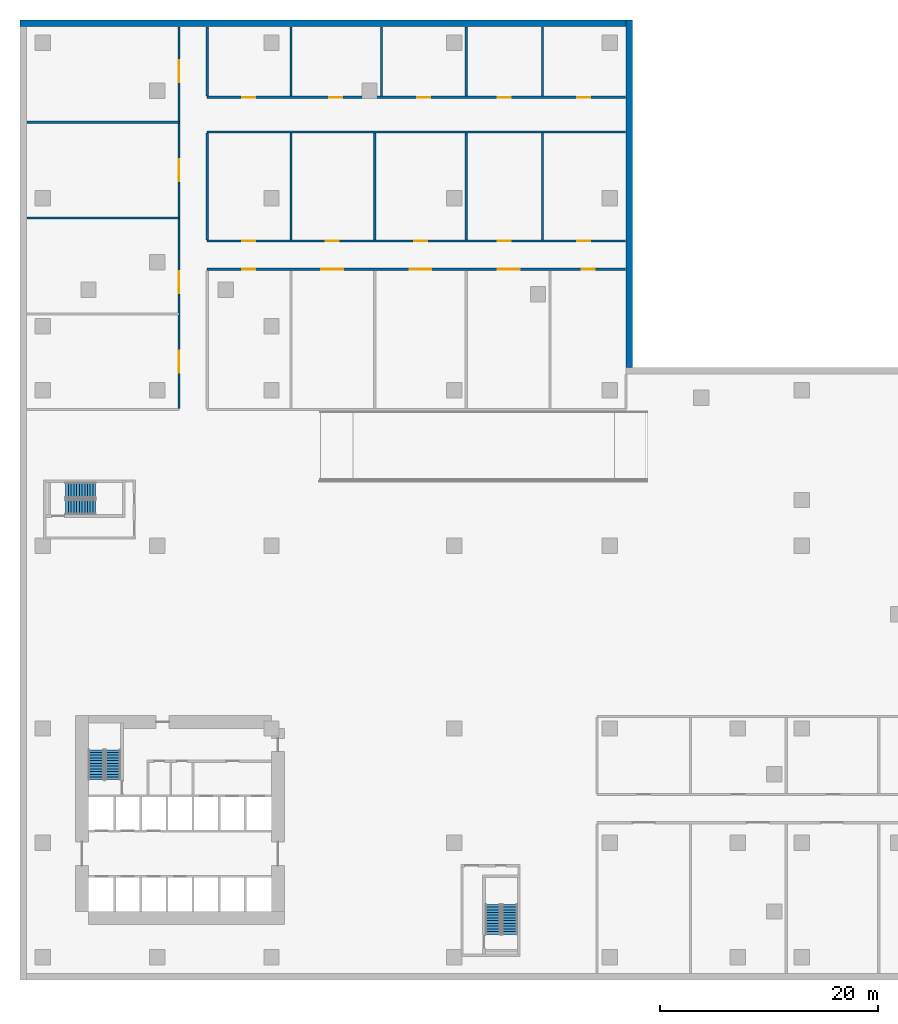
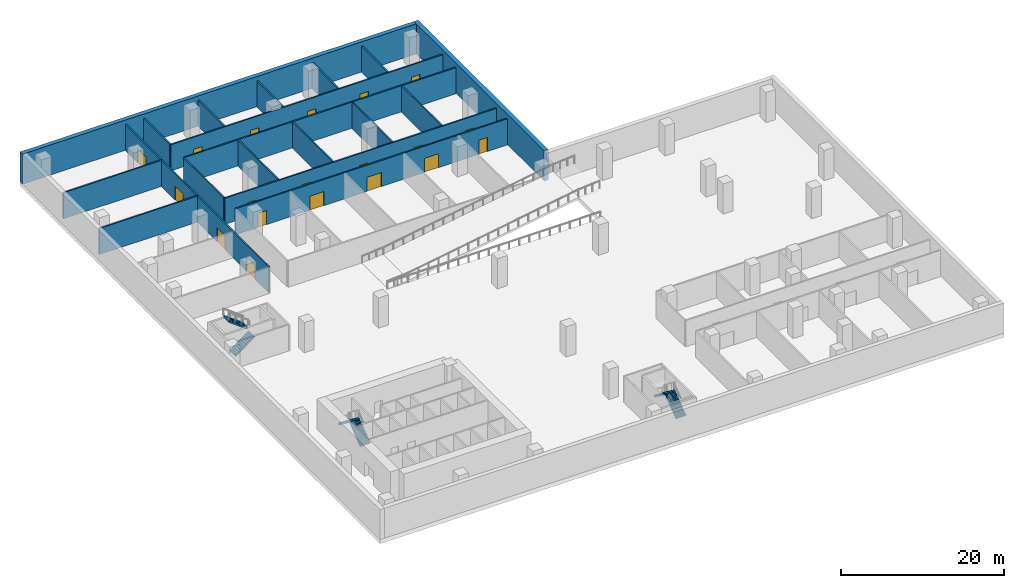
# One storey, part 8 of 12: 19 doors, 19 walls, 6 stair flights, 19 openings, 3 elements without a shape of their own.
"""IFC4 building model written with IfcOpenShell, lengths in metres."""

from ifc_helpers import new_model, si_unit, direction, frame, frame_2d, origin, place, context, subcontext, project, spatial, polyline, rectangle, outline, extrude, source, transform, mapped, material, layer, layer_set, type_object, element, fill, aggregate, save


model = new_model("IFC4")

# Units and contexts
model_context = context("Model", 3, precision=1e-05, world=origin(), true_north=direction((0.0, 1.0)))
body_context = subcontext(model_context, "Body", "Model", "MODEL_VIEW")
ifc_project = project(units=[si_unit("LENGTHUNIT", "METRE"), si_unit("AREAUNIT", "SQUARE_METRE"), si_unit("VOLUMEUNIT", "CUBIC_METRE"), si_unit("PLANEANGLEUNIT", "RADIAN"), si_unit("MASSUNIT", "GRAM", prefix="KILO")], contexts=[model_context])

# Site, building, storey
site_placement = place(None, origin())
site = spatial("IfcSite", under=ifc_project, at=site_placement, CompositionType="ELEMENT")
building_placement = place(site_placement, origin())
building = spatial("IfcBuilding", under=site, at=building_placement, Name="Aurelian Terraces", CompositionType="ELEMENT")
storey_placement = place(building_placement, frame((0.0, 0.0, -9.0)))
storey = spatial("IfcBuildingStorey", under=building, at=storey_placement, Name="B2", CompositionType="ELEMENT", Elevation=-9.0)

# Walls
ifc_material_1 = material(Name="Concrete fc' 40 MPa", Category="concrete")
ifc_layer_1 = layer(ifc_material_1, 0.6)
ifc_layer_set_1 = layer_set([ifc_layer_1], Name="BASEMENT WALL 600 FC40")
wall_type_1 = type_object("IfcWallType", Name="BASEMENT WALL 600 FC40", PredefinedType="SOLIDWALL", material=ifc_layer_set_1)
shared_shape_1 = source(origin(), body_context, "Body", "SweptSolid", [
    extrude(rectangle(XDim=55.68, YDim=0.6, at=frame_2d((27.84, 0.0))), origin(), (0.0, 0.0, 1.0), 4.5),
])
wall_1_placement = place(storey_placement, frame((53.58, 85.8, 0.0), z_axis=(0.0, 0.0, 1.0), x_axis=(-1.0, 0.0, 0.0)))
element("IfcWall", 1, at=wall_1_placement, inside=storey, type_object=wall_type_1, Name="Basement wall 2 B2", PredefinedType="SOLIDWALL", context=body_context, shape_type="MappedRepresentation", body=[
    mapped(shared_shape_1, transform((0.0, 0.0, 0.0), scale=1.0)),
])
shared_shape_2 = source(origin(), body_context, "Body", "SweptSolid", [
    extrude(rectangle(XDim=31.92, YDim=0.6, at=frame_2d((15.96, 0.0))), origin(), (0.0, 0.0, 1.0), 4.5),
])
wall_2_placement = place(storey_placement, frame((53.88, 54.18, 0.0), z_axis=(0.0, 0.0, 1.0), x_axis=(0.0, 1.0, 0.0)))
element("IfcWall", 2, at=wall_2_placement, inside=storey, type_object=wall_type_1, Name="Basement wall 1 B2", PredefinedType="SOLIDWALL", context=body_context, shape_type="MappedRepresentation", body=[
    mapped(shared_shape_2, transform((0.0, 0.0, 0.0), scale=1.0)),
])
ifc_material_2 = material(Name="Gypsum board on steel studs", Category="steel")
ifc_layer_2 = layer(ifc_material_2, 0.2)
ifc_layer_set_2 = layer_set([ifc_layer_2], Name="Basement partition 200")
wall_type_2 = type_object("IfcWallType", Name="Basement partition 200", PredefinedType="PARTITIONING", material=ifc_layer_set_2)
shared_shape_3 = source(origin(), body_context, "Body", "SweptSolid", [
    extrude(rectangle(XDim=13.94, YDim=0.2, at=frame_2d((6.97, 0.0))), origin(), (0.0, 0.0, 1.0), 3.9),
])
for number, where, z_axis, x_axis, name in (
    (3, (-1.44, 67.9, 0.0), (0.0, 0.0, 1.0), (1.0, 0.0, 0.0), "B2 partition 009"),
    (4, (-1.44, 76.7, 0.0), (0.0, 0.0, 1.0), (1.0, 0.0, 0.0), "B2 partition 011"),
):
    element("IfcWall", number, at=place(storey_placement, frame(where, z_axis=z_axis, x_axis=x_axis)), inside=storey, type_object=wall_type_2, Name=name, PredefinedType="PARTITIONING", context=body_context, shape_type="MappedRepresentation", body=[
        mapped(shared_shape_3, transform((0.0, 0.0, 0.0), scale=1.0)),
    ])

# Wall, openings, doors
shared_shape_4 = source(origin(), body_context, "Body", "SweptSolid", [
    extrude(rectangle(XDim=38.42, YDim=0.2, at=frame_2d((19.21, 0.0))), origin(), (0.0, 0.0, 1.0), 3.9),
])
wall_3_placement = place(storey_placement, frame((15.1, 63.2, 0.0), z_axis=(0.0, 0.0, 1.0), x_axis=(1.0, 0.0, 0.0)))
wall_3 = element("IfcWall", 5, at=wall_3_placement, inside=storey, type_object=wall_type_2, Name="B2 partition 007", PredefinedType="PARTITIONING", context=body_context, shape_type="MappedRepresentation", body=[
    mapped(shared_shape_4, transform((0.0, 0.0, 0.0), scale=1.0)),
])
shared_shape_5 = source(origin(), body_context, "Body", "SweptSolid", [
    extrude(rectangle(XDim=1.2, YDim=2.1, at=frame_2d((0.6, 1.05))), frame((0.0, 0.11, 0.0), z_axis=(0.0, -1.0, 0.0), x_axis=(1.0, 0.0, 0.0)), (0.0, 0.0, 1.0), 0.22),
])
opening_1_placement = place(wall_3_placement, frame((3.2, 0.0, 0.0)))
opening_1 = element("IfcOpeningElement", 6, at=opening_1_placement, cuts=wall_3, Name="Opening 50104", PredefinedType="OPENING", context=body_context, shape_type="MappedRepresentation", body=[
    mapped(shared_shape_5, transform((0.0, 0.0, 0.0), scale=1.0)),
])
shared_shape_6 = source(origin(), body_context, "Body", "SweptSolid", [
    extrude(rectangle(XDim=2.0, YDim=2.1, at=frame_2d((1.0, 1.05))), frame((0.0, 0.11, 0.0), z_axis=(0.0, -1.0, 0.0), x_axis=(1.0, 0.0, 0.0)), (0.0, 0.0, 1.0), 0.22),
])
opening_2_placement = place(wall_3_placement, frame((10.5, 0.0, 0.0)))
opening_2 = element("IfcOpeningElement", 7, at=opening_2_placement, cuts=wall_3, Name="Opening 50105", PredefinedType="OPENING", context=body_context, shape_type="MappedRepresentation", body=[
    mapped(shared_shape_6, transform((0.0, 0.0, 0.0), scale=1.0)),
])
opening_3_placement = place(wall_3_placement, frame((18.6, 0.0, 0.0)))
opening_3 = element("IfcOpeningElement", 8, at=opening_3_placement, cuts=wall_3, Name="Opening 50106", PredefinedType="OPENING", context=body_context, shape_type="MappedRepresentation", body=[
    mapped(shared_shape_6, transform((0.0, 0.0, 0.0), scale=1.0)),
])
opening_4_placement = place(wall_3_placement, frame((26.7, 0.0, 0.0)))
opening_4 = element("IfcOpeningElement", 9, at=opening_4_placement, cuts=wall_3, Name="Opening 50107", PredefinedType="OPENING", context=body_context, shape_type="MappedRepresentation", body=[
    mapped(shared_shape_6, transform((0.0, 0.0, 0.0), scale=1.0)),
])
opening_5_placement = place(wall_3_placement, frame((34.4, 0.0, 0.0)))
opening_5 = element("IfcOpeningElement", 10, at=opening_5_placement, cuts=wall_3, Name="Opening 50108", PredefinedType="OPENING", context=body_context, shape_type="MappedRepresentation", body=[
    mapped(shared_shape_5, transform((0.0, 0.0, 0.0), scale=1.0)),
])
ifc_material_3 = material(Name="Steel door leaf", Category="steel")
door_type_1 = type_object("IfcDoorType", Name="Plant room door 1200x2100", OperationType="SINGLE_SWING_LEFT", PredefinedType="DOOR", material=ifc_material_3)
shared_shape_7 = source(origin(), body_context, "Body", "SweptSolid", [
    extrude(rectangle(XDim=1.2, YDim=2.1, at=frame_2d((0.6, 1.05))), frame((0.0, 0.025, 0.0), z_axis=(0.0, -1.0, 0.0), x_axis=(1.0, 0.0, 0.0)), (0.0, 0.0, 1.0), 0.05),
])
door_1_placement = place(opening_1_placement, origin())
door_1 = element("IfcDoor", 11, at=door_1_placement, inside=storey, type_object=door_type_1, Name="Room door 50104", OperationType="SINGLE_SWING_LEFT", OverallHeight=2.1, OverallWidth=1.2, PredefinedType="DOOR", context=body_context, shape_type="MappedRepresentation", body=[
    mapped(shared_shape_7, transform((0.0, 0.0, 0.0), scale=1.0)),
])
fill(opening_1, door_1)
door_2_placement = place(opening_5_placement, origin())
door_2 = element("IfcDoor", 12, at=door_2_placement, inside=storey, type_object=door_type_1, Name="Room door 50108", OperationType="SINGLE_SWING_LEFT", OverallHeight=2.1, OverallWidth=1.2, PredefinedType="DOOR", context=body_context, shape_type="MappedRepresentation", body=[
    mapped(shared_shape_7, transform((0.0, 0.0, 0.0), scale=1.0)),
])
fill(opening_5, door_2)
door_type_2 = type_object("IfcDoorType", Name="Plant room door double 2000x2100", OperationType="DOUBLE_DOOR_SINGLE_SWING", PredefinedType="DOOR", material=ifc_material_3)
shared_shape_8 = source(origin(), body_context, "Body", "SweptSolid", [
    extrude(rectangle(XDim=2.0, YDim=2.1, at=frame_2d((1.0, 1.05))), frame((0.0, 0.025, 0.0), z_axis=(0.0, -1.0, 0.0), x_axis=(1.0, 0.0, 0.0)), (0.0, 0.0, 1.0), 0.05),
])
door_3_placement = place(opening_2_placement, origin())
door_3 = element("IfcDoor", 13, at=door_3_placement, inside=storey, type_object=door_type_2, Name="Room door 50105", OperationType="DOUBLE_DOOR_SINGLE_SWING", OverallHeight=2.1, OverallWidth=2.0, PredefinedType="DOOR", context=body_context, shape_type="MappedRepresentation", body=[
    mapped(shared_shape_8, transform((0.0, 0.0, 0.0), scale=1.0)),
])
fill(opening_2, door_3)
door_4_placement = place(opening_3_placement, origin())
door_4 = element("IfcDoor", 14, at=door_4_placement, inside=storey, type_object=door_type_2, Name="Room door 50106", OperationType="DOUBLE_DOOR_SINGLE_SWING", OverallHeight=2.1, OverallWidth=2.0, PredefinedType="DOOR", context=body_context, shape_type="MappedRepresentation", body=[
    mapped(shared_shape_8, transform((0.0, 0.0, 0.0), scale=1.0)),
])
fill(opening_3, door_4)
door_5_placement = place(opening_4_placement, origin())
door_5 = element("IfcDoor", 15, at=door_5_placement, inside=storey, type_object=door_type_2, Name="Room door 50107", OperationType="DOUBLE_DOOR_SINGLE_SWING", OverallHeight=2.1, OverallWidth=2.0, PredefinedType="DOOR", context=body_context, shape_type="MappedRepresentation", body=[
    mapped(shared_shape_8, transform((0.0, 0.0, 0.0), scale=1.0)),
])
fill(opening_4, door_5)

wall_4_placement = place(storey_placement, frame((15.1, 65.8, 0.0), z_axis=(0.0, 0.0, 1.0), x_axis=(1.0, 0.0, 0.0)))
wall_4 = element("IfcWall", 16, at=wall_4_placement, inside=storey, type_object=wall_type_2, Name="B2 partition 008", PredefinedType="PARTITIONING", context=body_context, shape_type="MappedRepresentation", body=[
    mapped(shared_shape_4, transform((0.0, 0.0, 0.0), scale=1.0)),
])
opening_6_placement = place(wall_4_placement, frame((3.2, 0.0, 0.0)))
opening_6 = element("IfcOpeningElement", 17, at=opening_6_placement, cuts=wall_4, Name="Opening 50109", PredefinedType="OPENING", context=body_context, shape_type="MappedRepresentation", body=[
    mapped(shared_shape_5, transform((0.0, 0.0, 0.0), scale=1.0)),
])
opening_7_placement = place(wall_4_placement, frame((10.9, 0.0, 0.0)))
opening_7 = element("IfcOpeningElement", 18, at=opening_7_placement, cuts=wall_4, Name="Opening 50110", PredefinedType="OPENING", context=body_context, shape_type="MappedRepresentation", body=[
    mapped(shared_shape_5, transform((0.0, 0.0, 0.0), scale=1.0)),
])
opening_8_placement = place(wall_4_placement, frame((19.0, 0.0, 0.0)))
opening_8 = element("IfcOpeningElement", 19, at=opening_8_placement, cuts=wall_4, Name="Opening 50111", PredefinedType="OPENING", context=body_context, shape_type="MappedRepresentation", body=[
    mapped(shared_shape_5, transform((0.0, 0.0, 0.0), scale=1.0)),
])
opening_9_placement = place(wall_4_placement, frame((26.7, 0.0, 0.0)))
opening_9 = element("IfcOpeningElement", 20, at=opening_9_placement, cuts=wall_4, Name="Opening 50112", PredefinedType="OPENING", context=body_context, shape_type="MappedRepresentation", body=[
    mapped(shared_shape_5, transform((0.0, 0.0, 0.0), scale=1.0)),
])
opening_10_placement = place(wall_4_placement, frame((34.0, 0.0, 0.0)))
opening_10 = element("IfcOpeningElement", 21, at=opening_10_placement, cuts=wall_4, Name="Opening 50113", PredefinedType="OPENING", context=body_context, shape_type="MappedRepresentation", body=[
    mapped(shared_shape_5, transform((0.0, 0.0, 0.0), scale=1.0)),
])
door_type_3 = type_object("IfcDoorType", Name="Plant room door 1200x2100 right", OperationType="SINGLE_SWING_RIGHT", PredefinedType="DOOR", material=ifc_material_3)
door_6_placement = place(opening_6_placement, origin())
door_6 = element("IfcDoor", 22, at=door_6_placement, inside=storey, type_object=door_type_3, Name="Room door 50109", OperationType="SINGLE_SWING_RIGHT", OverallHeight=2.1, OverallWidth=1.2, PredefinedType="DOOR", context=body_context, shape_type="MappedRepresentation", body=[
    mapped(shared_shape_7, transform((0.0, 0.0, 0.0), scale=1.0)),
])
fill(opening_6, door_6)
door_7_placement = place(opening_7_placement, origin())
door_7 = element("IfcDoor", 23, at=door_7_placement, inside=storey, type_object=door_type_1, Name="Room door 50110", OperationType="SINGLE_SWING_LEFT", OverallHeight=2.1, OverallWidth=1.2, PredefinedType="DOOR", context=body_context, shape_type="MappedRepresentation", body=[
    mapped(shared_shape_7, transform((0.0, 0.0, 0.0), scale=1.0)),
])
fill(opening_7, door_7)
door_8_placement = place(opening_8_placement, origin())
door_8 = element("IfcDoor", 24, at=door_8_placement, inside=storey, type_object=door_type_3, Name="Room door 50111", OperationType="SINGLE_SWING_RIGHT", OverallHeight=2.1, OverallWidth=1.2, PredefinedType="DOOR", context=body_context, shape_type="MappedRepresentation", body=[
    mapped(shared_shape_7, transform((0.0, 0.0, 0.0), scale=1.0)),
])
fill(opening_8, door_8)
door_9_placement = place(opening_9_placement, origin())
door_9 = element("IfcDoor", 25, at=door_9_placement, inside=storey, type_object=door_type_1, Name="Room door 50112", OperationType="SINGLE_SWING_LEFT", OverallHeight=2.1, OverallWidth=1.2, PredefinedType="DOOR", context=body_context, shape_type="MappedRepresentation", body=[
    mapped(shared_shape_7, transform((0.0, 0.0, 0.0), scale=1.0)),
])
fill(opening_9, door_9)
door_10_placement = place(opening_10_placement, origin())
door_10 = element("IfcDoor", 26, at=door_10_placement, inside=storey, type_object=door_type_3, Name="Room door 50113", OperationType="SINGLE_SWING_RIGHT", OverallHeight=2.1, OverallWidth=1.2, PredefinedType="DOOR", context=body_context, shape_type="MappedRepresentation", body=[
    mapped(shared_shape_7, transform((0.0, 0.0, 0.0), scale=1.0)),
])
fill(opening_10, door_10)

# Wall
wall_5_placement = place(storey_placement, frame((15.1, 75.8, 0.0), z_axis=(0.0, 0.0, 1.0), x_axis=(1.0, 0.0, 0.0)))
element("IfcWall", 27, at=wall_5_placement, inside=storey, type_object=wall_type_2, Name="B2 partition 010", PredefinedType="PARTITIONING", context=body_context, shape_type="MappedRepresentation", body=[
    mapped(shared_shape_4, transform((0.0, 0.0, 0.0), scale=1.0)),
])

# Wall, openings, doors
wall_6_placement = place(storey_placement, frame((15.1, 79.0, 0.0), z_axis=(0.0, 0.0, 1.0), x_axis=(1.0, 0.0, 0.0)))
wall_6 = element("IfcWall", 28, at=wall_6_placement, inside=storey, type_object=wall_type_2, Name="B2 partition 012", PredefinedType="PARTITIONING", context=body_context, shape_type="MappedRepresentation", body=[
    mapped(shared_shape_4, transform((0.0, 0.0, 0.0), scale=1.0)),
])
opening_11_placement = place(wall_6_placement, frame((3.2, 0.0, 0.0)))
opening_11 = element("IfcOpeningElement", 29, at=opening_11_placement, cuts=wall_6, Name="Opening 50114", PredefinedType="OPENING", context=body_context, shape_type="MappedRepresentation", body=[
    mapped(shared_shape_5, transform((0.0, 0.0, 0.0), scale=1.0)),
])
opening_12_placement = place(wall_6_placement, frame((11.2, 0.0, 0.0)))
opening_12 = element("IfcOpeningElement", 30, at=opening_12_placement, cuts=wall_6, Name="Opening 50115", PredefinedType="OPENING", context=body_context, shape_type="MappedRepresentation", body=[
    mapped(shared_shape_5, transform((0.0, 0.0, 0.0), scale=1.0)),
])
opening_13_placement = place(wall_6_placement, frame((19.3, 0.0, 0.0)))
opening_13 = element("IfcOpeningElement", 31, at=opening_13_placement, cuts=wall_6, Name="Opening 50116", PredefinedType="OPENING", context=body_context, shape_type="MappedRepresentation", body=[
    mapped(shared_shape_5, transform((0.0, 0.0, 0.0), scale=1.0)),
])
opening_14_placement = place(wall_6_placement, frame((26.7, 0.0, 0.0)))
opening_14 = element("IfcOpeningElement", 32, at=opening_14_placement, cuts=wall_6, Name="Opening 50117", PredefinedType="OPENING", context=body_context, shape_type="MappedRepresentation", body=[
    mapped(shared_shape_5, transform((0.0, 0.0, 0.0), scale=1.0)),
])
opening_15_placement = place(wall_6_placement, frame((34.0, 0.0, 0.0)))
opening_15 = element("IfcOpeningElement", 33, at=opening_15_placement, cuts=wall_6, Name="Opening 50118", PredefinedType="OPENING", context=body_context, shape_type="MappedRepresentation", body=[
    mapped(shared_shape_5, transform((0.0, 0.0, 0.0), scale=1.0)),
])
door_11_placement = place(opening_11_placement, origin())
door_11 = element("IfcDoor", 34, at=door_11_placement, inside=storey, type_object=door_type_1, Name="Room door 50114", OperationType="SINGLE_SWING_LEFT", OverallHeight=2.1, OverallWidth=1.2, PredefinedType="DOOR", context=body_context, shape_type="MappedRepresentation", body=[
    mapped(shared_shape_7, transform((0.0, 0.0, 0.0), scale=1.0)),
])
fill(opening_11, door_11)
door_12_placement = place(opening_12_placement, origin())
door_12 = element("IfcDoor", 35, at=door_12_placement, inside=storey, type_object=door_type_3, Name="Room door 50115", OperationType="SINGLE_SWING_RIGHT", OverallHeight=2.1, OverallWidth=1.2, PredefinedType="DOOR", context=body_context, shape_type="MappedRepresentation", body=[
    mapped(shared_shape_7, transform((0.0, 0.0, 0.0), scale=1.0)),
])
fill(opening_12, door_12)
door_13_placement = place(opening_13_placement, origin())
door_13 = element("IfcDoor", 36, at=door_13_placement, inside=storey, type_object=door_type_1, Name="Room door 50116", OperationType="SINGLE_SWING_LEFT", OverallHeight=2.1, OverallWidth=1.2, PredefinedType="DOOR", context=body_context, shape_type="MappedRepresentation", body=[
    mapped(shared_shape_7, transform((0.0, 0.0, 0.0), scale=1.0)),
])
fill(opening_13, door_13)
door_14_placement = place(opening_14_placement, origin())
door_14 = element("IfcDoor", 37, at=door_14_placement, inside=storey, type_object=door_type_3, Name="Room door 50117", OperationType="SINGLE_SWING_RIGHT", OverallHeight=2.1, OverallWidth=1.2, PredefinedType="DOOR", context=body_context, shape_type="MappedRepresentation", body=[
    mapped(shared_shape_7, transform((0.0, 0.0, 0.0), scale=1.0)),
])
fill(opening_14, door_14)
door_15_placement = place(opening_15_placement, origin())
door_15 = element("IfcDoor", 38, at=door_15_placement, inside=storey, type_object=door_type_1, Name="Room door 50118", OperationType="SINGLE_SWING_LEFT", OverallHeight=2.1, OverallWidth=1.2, PredefinedType="DOOR", context=body_context, shape_type="MappedRepresentation", body=[
    mapped(shared_shape_7, transform((0.0, 0.0, 0.0), scale=1.0)),
])
fill(opening_15, door_15)

# Walls
shared_shape_9 = source(origin(), body_context, "Body", "SweptSolid", [
    extrude(rectangle(XDim=9.8, YDim=0.2, at=frame_2d((4.9, 0.0))), origin(), (0.0, 0.0, 1.0), 3.9),
])
for number, where, z_axis, x_axis, name in (
    (39, (15.1, 65.9, 0.0), (0.0, 0.0, 1.0), (0.0, 1.0, 0.0), "B2 partition 015"),
    (40, (22.8, 65.9, 0.0), (0.0, 0.0, 1.0), (0.0, 1.0, 0.0), "B2 partition 018"),
    (41, (30.5, 65.9, 0.0), (0.0, 0.0, 1.0), (0.0, 1.0, 0.0), "B2 partition 021"),
    (42, (38.9, 65.9, 0.0), (0.0, 0.0, 1.0), (0.0, 1.0, 0.0), "B2 partition 024"),
    (43, (45.9, 65.9, 0.0), (0.0, 0.0, 1.0), (0.0, 1.0, 0.0), "B2 partition 026"),
):
    element("IfcWall", number, at=place(storey_placement, frame(where, z_axis=z_axis, x_axis=x_axis)), inside=storey, type_object=wall_type_2, Name=name, PredefinedType="PARTITIONING", context=body_context, shape_type="MappedRepresentation", body=[
        mapped(shared_shape_9, transform((0.0, 0.0, 0.0), scale=1.0)),
    ])
shared_shape_10 = source(origin(), body_context, "Body", "SweptSolid", [
    extrude(rectangle(XDim=6.34, YDim=0.2, at=frame_2d((3.17, 0.0))), origin(), (0.0, 0.0, 1.0), 3.9),
])
for number, where, z_axis, x_axis, name in (
    (44, (15.1, 79.1, 0.0), (0.0, 0.0, 1.0), (0.0, 1.0, 0.0), "B2 partition 016"),
    (45, (22.8, 79.1, 0.0), (0.0, 0.0, 1.0), (0.0, 1.0, 0.0), "B2 partition 019"),
    (46, (31.1, 79.1, 0.0), (0.0, 0.0, 1.0), (0.0, 1.0, 0.0), "B2 partition 022"),
    (47, (38.9, 79.1, 0.0), (0.0, 0.0, 1.0), (0.0, 1.0, 0.0), "B2 partition 025"),
    (48, (45.9, 79.1, 0.0), (0.0, 0.0, 1.0), (0.0, 1.0, 0.0), "B2 partition 027"),
):
    element("IfcWall", number, at=place(storey_placement, frame(where, z_axis=z_axis, x_axis=x_axis)), inside=storey, type_object=wall_type_2, Name=name, PredefinedType="PARTITIONING", context=body_context, shape_type="MappedRepresentation", body=[
        mapped(shared_shape_10, transform((0.0, 0.0, 0.0), scale=1.0)),
    ])

# Wall, openings, doors
shared_shape_11 = source(origin(), body_context, "Body", "SweptSolid", [
    extrude(rectangle(XDim=35.04, YDim=0.2, at=frame_2d((17.52, 0.0))), origin(), (0.0, 0.0, 1.0), 3.9),
])
wall_7_placement = place(storey_placement, frame((12.5, 50.4, 0.0), z_axis=(0.0, 0.0, 1.0), x_axis=(0.0, 1.0, 0.0)))
wall_7 = element("IfcWall", 49, at=wall_7_placement, inside=storey, type_object=wall_type_2, Name="B2 partition 013", PredefinedType="PARTITIONING", context=body_context, shape_type="MappedRepresentation", body=[
    mapped(shared_shape_11, transform((0.0, 0.0, 0.0), scale=1.0)),
])
opening_16_placement = place(wall_7_placement, frame((3.3, 0.0, 0.0)))
opening_16 = element("IfcOpeningElement", 50, at=opening_16_placement, cuts=wall_7, Name="Opening 50100", PredefinedType="OPENING", context=body_context, shape_type="MappedRepresentation", body=[
    mapped(shared_shape_6, transform((0.0, 0.0, 0.0), scale=1.0)),
])
opening_17_placement = place(wall_7_placement, frame((10.6, 0.0, 0.0)))
opening_17 = element("IfcOpeningElement", 51, at=opening_17_placement, cuts=wall_7, Name="Opening 50101", PredefinedType="OPENING", context=body_context, shape_type="MappedRepresentation", body=[
    mapped(shared_shape_6, transform((0.0, 0.0, 0.0), scale=1.0)),
])
opening_18_placement = place(wall_7_placement, frame((20.9, 0.0, 0.0)))
opening_18 = element("IfcOpeningElement", 52, at=opening_18_placement, cuts=wall_7, Name="Opening 50102", PredefinedType="OPENING", context=body_context, shape_type="MappedRepresentation", body=[
    mapped(shared_shape_6, transform((0.0, 0.0, 0.0), scale=1.0)),
])
opening_19_placement = place(wall_7_placement, frame((30.0, 0.0, 0.0)))
opening_19 = element("IfcOpeningElement", 53, at=opening_19_placement, cuts=wall_7, Name="Opening 50103", PredefinedType="OPENING", context=body_context, shape_type="MappedRepresentation", body=[
    mapped(shared_shape_6, transform((0.0, 0.0, 0.0), scale=1.0)),
])
door_16_placement = place(opening_16_placement, origin())
door_16 = element("IfcDoor", 54, at=door_16_placement, inside=storey, type_object=door_type_2, Name="Room door 50100", OperationType="DOUBLE_DOOR_SINGLE_SWING", OverallHeight=2.1, OverallWidth=2.0, PredefinedType="DOOR", context=body_context, shape_type="MappedRepresentation", body=[
    mapped(shared_shape_8, transform((0.0, 0.0, 0.0), scale=1.0)),
])
fill(opening_16, door_16)
door_17_placement = place(opening_17_placement, origin())
door_17 = element("IfcDoor", 55, at=door_17_placement, inside=storey, type_object=door_type_2, Name="Room door 50101", OperationType="DOUBLE_DOOR_SINGLE_SWING", OverallHeight=2.1, OverallWidth=2.0, PredefinedType="DOOR", context=body_context, shape_type="MappedRepresentation", body=[
    mapped(shared_shape_8, transform((0.0, 0.0, 0.0), scale=1.0)),
])
fill(opening_17, door_17)
door_18_placement = place(opening_18_placement, origin())
door_18 = element("IfcDoor", 56, at=door_18_placement, inside=storey, type_object=door_type_2, Name="Room door 50102", OperationType="DOUBLE_DOOR_SINGLE_SWING", OverallHeight=2.1, OverallWidth=2.0, PredefinedType="DOOR", context=body_context, shape_type="MappedRepresentation", body=[
    mapped(shared_shape_8, transform((0.0, 0.0, 0.0), scale=1.0)),
])
fill(opening_18, door_18)
door_19_placement = place(opening_19_placement, origin())
door_19 = element("IfcDoor", 57, at=door_19_placement, inside=storey, type_object=door_type_2, Name="Room door 50103", OperationType="DOUBLE_DOOR_SINGLE_SWING", OverallHeight=2.1, OverallWidth=2.0, PredefinedType="DOOR", context=body_context, shape_type="MappedRepresentation", body=[
    mapped(shared_shape_8, transform((0.0, 0.0, 0.0), scale=1.0)),
])
fill(opening_19, door_19)

# Stair, stair flights
stair_type = type_object("IfcStairType", Name="Stair 1400", PredefinedType="HALF_TURN_STAIR", material=ifc_material_1)
stair_1_placement = place(storey_placement, origin())
stair_1 = element("IfcStair", 58, at=stair_1_placement, inside=storey, type_object=stair_type, Name="B2 S1", PredefinedType="HALF_TURN_STAIR")
stair_flight_type = type_object("IfcStairFlightType", Name="Stair flight 1400", PredefinedType="STRAIGHT", material=ifc_material_1)
shared_shape_12 = source(origin(), body_context, "Body", "SweptSolid", [
    extrude(outline(polyline([(0.0, 0.0), (0.0, 0.1875), (0.25, 0.1875), (0.25, 0.375), (0.5, 0.375), (0.5, 0.5625), (0.75, 0.5625), (0.75, 0.75), (1.0, 0.75), (1.0, 0.9375), (1.25, 0.9375), (1.25, 1.125), (1.5, 1.125), (1.5, 1.3125), (1.75, 1.3125), (1.75, 1.5), (2.0, 1.5), (2.0, 1.6875), (2.25, 1.6875), (2.25, 1.875), (2.5, 1.875), (2.5, 2.0625), (2.75, 2.0625), (2.75, 2.25), (2.75, 1.875), (0.25, 0.0), (0.0, 0.0)])), frame((0.0, 0.7, 0.0), z_axis=(0.0, -1.0, 0.0), x_axis=(1.0, 0.0, 0.0)), (0.0, 0.0, 1.0), 1.4),
])
stair_flight_1_placement = place(storey_placement, frame((6.45, 16.3, 2e-08), z_axis=(0.0, 0.0, 1.0), x_axis=(0.0, 1.0, 0.0)))
stair_flight_1 = element("IfcStairFlight", 59, at=stair_flight_1_placement, type_object=stair_flight_type, Name="S1 flight 1", NumberOfRisers=12, NumberOfTreads=11, PredefinedType="STRAIGHT", RiserHeight=0.1875, TreadLength=0.25, context=body_context, shape_type="MappedRepresentation", body=[
    mapped(shared_shape_12, transform((0.0, 0.0, 0.0), scale=1.0)),
])
stair_flight_2_placement = place(storey_placement, frame((4.9, 19.05, 2.25000002), z_axis=(0.0, 0.0, 1.0), x_axis=(0.0, -1.0, 0.0)))
stair_flight_2 = element("IfcStairFlight", 60, at=stair_flight_2_placement, type_object=stair_flight_type, Name="S1 flight 2", NumberOfRisers=12, NumberOfTreads=11, PredefinedType="STRAIGHT", RiserHeight=0.1875, TreadLength=0.25, context=body_context, shape_type="MappedRepresentation", body=[
    mapped(shared_shape_12, transform((0.0, 0.0, 0.0), scale=1.0)),
])
aggregate(stair_1, [stair_flight_1, stair_flight_2])

stair_2_placement = place(storey_placement, origin())
stair_2 = element("IfcStair", 61, at=stair_2_placement, inside=storey, type_object=stair_type, Name="B2 S2", PredefinedType="HALF_TURN_STAIR")
stair_flight_3_placement = place(storey_placement, frame((42.9, 2.1, 2e-08), z_axis=(0.0, 0.0, 1.0), x_axis=(0.0, 1.0, 0.0)))
stair_flight_3 = element("IfcStairFlight", 62, at=stair_flight_3_placement, type_object=stair_flight_type, Name="S2 flight 1", NumberOfRisers=12, NumberOfTreads=11, PredefinedType="STRAIGHT", RiserHeight=0.1875, TreadLength=0.25, context=body_context, shape_type="MappedRepresentation", body=[
    mapped(shared_shape_12, transform((0.0, 0.0, 0.0), scale=1.0)),
])
stair_flight_4_placement = place(storey_placement, frame((41.35, 4.85, 2.25000002), z_axis=(0.0, 0.0, 1.0), x_axis=(0.0, -1.0, 0.0)))
stair_flight_4 = element("IfcStairFlight", 63, at=stair_flight_4_placement, type_object=stair_flight_type, Name="S2 flight 2", NumberOfRisers=12, NumberOfTreads=11, PredefinedType="STRAIGHT", RiserHeight=0.1875, TreadLength=0.25, context=body_context, shape_type="MappedRepresentation", body=[
    mapped(shared_shape_12, transform((0.0, 0.0, 0.0), scale=1.0)),
])
aggregate(stair_2, [stair_flight_3, stair_flight_4])

stair_3_placement = place(storey_placement, origin())
stair_3 = element("IfcStair", 64, at=stair_3_placement, inside=storey, type_object=stair_type, Name="B2 S3", PredefinedType="HALF_TURN_STAIR")
stair_flight_5_placement = place(storey_placement, frame((2.1, 41.35, 2e-08), z_axis=(0.0, 0.0, 1.0), x_axis=(1.0, 0.0, 0.0)))
stair_flight_5 = element("IfcStairFlight", 65, at=stair_flight_5_placement, type_object=stair_flight_type, Name="S3 flight 1", NumberOfRisers=12, NumberOfTreads=11, PredefinedType="STRAIGHT", RiserHeight=0.1875, TreadLength=0.25, context=body_context, shape_type="MappedRepresentation", body=[
    mapped(shared_shape_12, transform((0.0, 0.0, 0.0), scale=1.0)),
])
stair_flight_6_placement = place(storey_placement, frame((4.85, 42.9, 2.25000002), z_axis=(0.0, 0.0, 1.0), x_axis=(-1.0, 0.0, 0.0)))
stair_flight_6 = element("IfcStairFlight", 66, at=stair_flight_6_placement, type_object=stair_flight_type, Name="S3 flight 2", NumberOfRisers=12, NumberOfTreads=11, PredefinedType="STRAIGHT", RiserHeight=0.1875, TreadLength=0.25, context=body_context, shape_type="MappedRepresentation", body=[
    mapped(shared_shape_12, transform((0.0, 0.0, 0.0), scale=1.0)),
])
aggregate(stair_3, [stair_flight_5, stair_flight_6])

save(model, "model.ifc")
